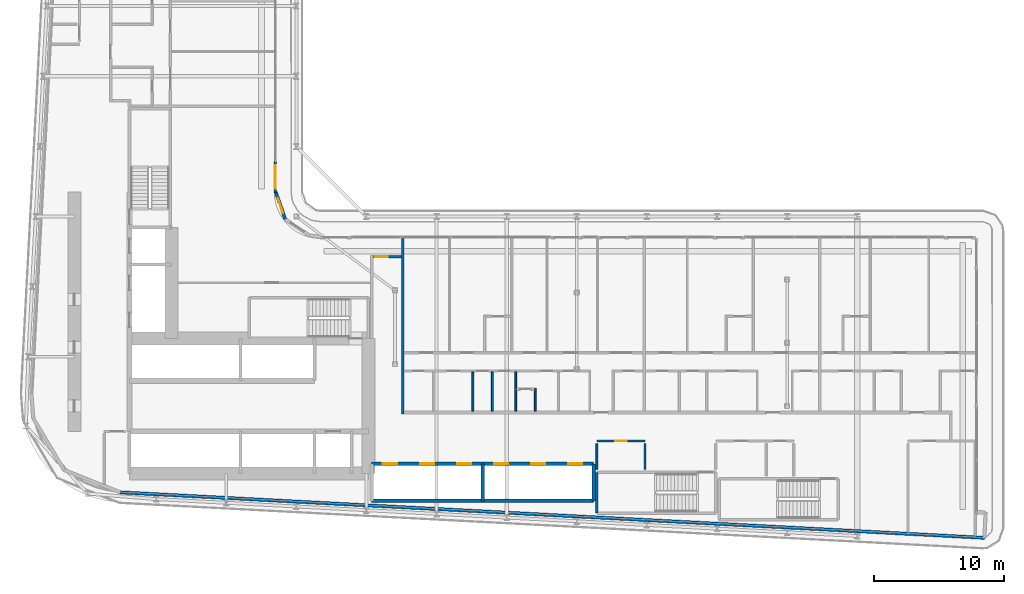
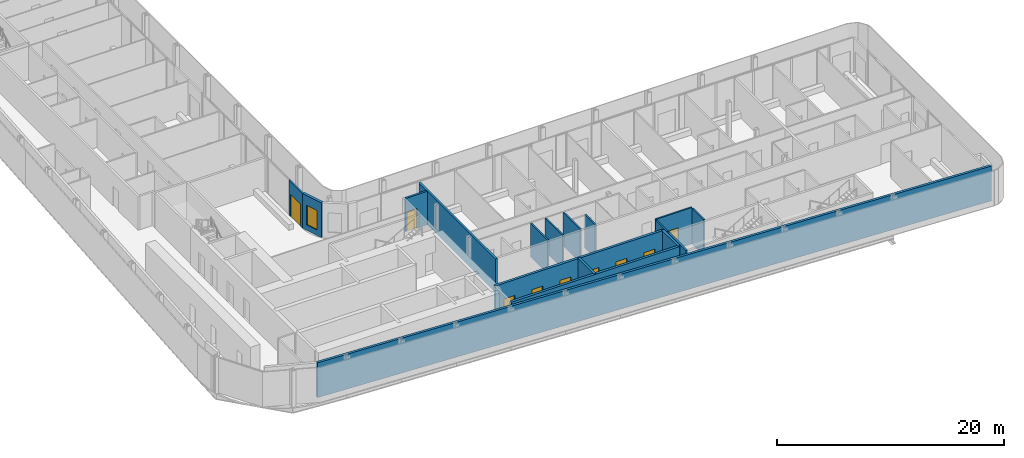
# One storey, part 15 of 29: 17 walls, 9 doors, 1 window, 10 openings.
"""IFC4 building model written with IfcOpenShell, lengths in metres."""

from ifc_helpers import new_model, si_unit, direction, frame, frame_2d, origin, place, context, subcontext, project, spatial, rectangle, extrude, source, transform, mapped, material, layer, layer_set, type_object, element, fill, save


model = new_model("IFC4")

# Units and contexts
model_context = context("Model", 3, precision=1e-05, world=origin(), true_north=direction((0.0, 1.0)))
body_context = subcontext(model_context, "Body", "Model", "MODEL_VIEW")
ifc_project = project(units=[si_unit("LENGTHUNIT", "METRE"), si_unit("AREAUNIT", "SQUARE_METRE"), si_unit("VOLUMEUNIT", "CUBIC_METRE"), si_unit("PLANEANGLEUNIT", "RADIAN"), si_unit("MASSUNIT", "GRAM", prefix="KILO")], contexts=[model_context])

# Site, building, storey
site_placement = place(None, origin())
site = spatial("IfcSite", under=ifc_project, at=site_placement, CompositionType="ELEMENT")
building_placement = place(site_placement, origin())
building = spatial("IfcBuilding", under=site, at=building_placement, Name="Kheshtan School and Residences Tower", CompositionType="ELEMENT")
storey_placement = place(building_placement, frame((0.0, 0.0, 61.699951171875)))
storey = spatial("IfcBuildingStorey", under=building, at=storey_placement, Name="L14", CompositionType="ELEMENT", Elevation=61.699951171875)

# Wall, opening, door
ifc_material_1 = material(Name="Gypsum board on steel studs with fire boards", Category="steel")
ifc_layer_1 = layer(ifc_material_1, 0.199951171875)
ifc_layer_set_1 = layer_set([ifc_layer_1], Name="Corridor wall 200")
wall_type_1 = type_object("IfcWallType", Name="Corridor wall 200", PredefinedType="PARTITIONING", material=ifc_layer_set_1)
wall_1_placement = place(storey_placement, frame((53.5, 42.5, 0.0), z_axis=(0.0, 0.0, 1.0), x_axis=(1.0, 0.0, 0.0)))
wall_1 = element("IfcWall", 1, at=wall_1_placement, inside=storey, type_object=wall_type_1, Name="Partition L14-039", PredefinedType="PARTITIONING", context=body_context, shape_type="SweptSolid", body=[
    extrude(rectangle(XDim=2.199951171875, YDim=0.199951171875, at=frame_2d((1.10009765625, 0.0))), origin(), (0.0, 0.0, 1.0), 3.60009765625),
])
opening_1_placement = place(wall_1_placement, frame((0.14990234375, 0.0, 0.0)))
opening_1 = element("IfcOpeningElement", 2, at=opening_1_placement, cuts=wall_1, Name="Opening D14-058", PredefinedType="OPENING", context=body_context, shape_type="SweptSolid", body=[
    extrude(rectangle(XDim=1.0, YDim=2.10009765625, at=frame_2d((0.5, 1.050048828125))), frame((0.0, 0.10986328125, 0.0), z_axis=(0.0, -1.0, 0.0), x_axis=(1.0, 0.0, 0.0)), (0.0, 0.0, 1.0), 0.219970703125),
])
ifc_material_2 = material(Name="Steel-framed fire-resisting door leaf", Category="steel")
door_type_1 = type_object("IfcDoorType", Name="Fire door FD60 1000 x 2100", OperationType="SINGLE_SWING_LEFT", PredefinedType="DOOR", material=ifc_material_2)
shared_shape_1 = source(origin(), body_context, "Body", "SweptSolid", [
    extrude(rectangle(XDim=1.0, YDim=2.10009765625, at=frame_2d((0.5, 1.050048828125))), frame((0.0, 0.02490234375, 0.0), z_axis=(0.0, -1.0, 0.0), x_axis=(1.0, 0.0, 0.0)), (0.0, 0.0, 1.0), 0.050048828125),
])
door_1_placement = place(opening_1_placement, origin())
door_1 = element("IfcDoor", 3, at=door_1_placement, inside=storey, type_object=door_type_1, Name="Door D14-058", OperationType="SINGLE_SWING_RIGHT", OverallHeight=2.10009765625, OverallWidth=1.0, PredefinedType="DOOR", context=body_context, shape_type="MappedRepresentation", body=[
    mapped(shared_shape_1, transform((0.0, 0.0, 0.0), x_axis=(1.0, 0.0, 0.0), y_axis=(0.0, 1.0, 0.0), z_axis=(0.0, 0.0, 1.0), scale=1.0)),
])
fill(opening_1, door_1)

# Wall, opening, window
ifc_material_3 = material(Name="Concrete C40/50 with ceramic cladding and mineral wool insulation", Category="concrete")
ifc_layer_2 = layer(ifc_material_3, 0.25)
ifc_layer_set_2 = layer_set([ifc_layer_2], Name="External wall 250 ceramic clad")
wall_type_2 = type_object("IfcWallType", Name="External wall 250 ceramic clad", PredefinedType="SOLIDWALL", material=ifc_layer_set_2)
wall_2_placement = place(storey_placement, frame((46.01806640625, 47.470947265625, 0.0), z_axis=(0.0, 0.0, 1.0), x_axis=(0.328791208903, -0.944402637093, 0.0)))
wall_2 = element("IfcWall", 4, at=wall_2_placement, inside=storey, type_object=wall_type_2, Name="External wall L14 9", PredefinedType="SOLIDWALL", context=body_context, shape_type="SweptSolid", body=[
    extrude(rectangle(XDim=2.20458984375, YDim=0.25, at=frame_2d((1.102294921875, 0.0))), origin(), (0.0, 0.0, 1.0), 3.75),
])
opening_2_placement = place(wall_2_placement, frame((0.5029296875, 0.0, 0.60009765625)))
opening_2 = element("IfcOpeningElement", 5, at=opening_2_placement, cuts=wall_2, Name="Opening WN-E", PredefinedType="OPENING", context=body_context, shape_type="SweptSolid", body=[
    extrude(rectangle(XDim=1.199951171875, YDim=2.10009765625, at=frame_2d((0.60009765625, 1.050048828125))), frame((0.0, 0.135009765625, 0.0), z_axis=(0.0, -1.0, 0.0), x_axis=(1.0, 0.0, 0.0)), (0.0, 0.0, 1.0), 0.27001953125),
])
ifc_material_4 = material(Name="Clear low-e glass in thermally broken aluminium frame", Category="aluminium")
window_type = type_object("IfcWindowType", Name="Window WN-E", PartitioningType="SINGLE_PANEL", PredefinedType="WINDOW", material=ifc_material_4)
shared_shape_2 = source(origin(), body_context, "Body", "SweptSolid", [
    extrude(rectangle(XDim=1.199951171875, YDim=2.10009765625, at=frame_2d((0.60009765625, 1.050048828125))), frame((0.0, 0.030029296875, 0.0), z_axis=(0.0, -1.0, 0.0), x_axis=(1.0, 0.0, 0.0)), (0.0, 0.0, 1.0), 0.06005859375),
])
window_placement = place(opening_2_placement, origin())
window = element("IfcWindow", 6, at=window_placement, inside=storey, type_object=window_type, Name="Window L14 9", OverallHeight=2.10009765625, OverallWidth=1.199951171875, PartitioningType="SINGLE_PANEL", PredefinedType="WINDOW", context=body_context, shape_type="MappedRepresentation", body=[
    mapped(shared_shape_2, transform((0.0, 0.0, 0.0), x_axis=(1.0, 0.0, 0.0), y_axis=(0.0, 1.0, 0.0), z_axis=(0.0, 0.0, 1.0), scale=1.0)),
])
fill(opening_2, window)

# Wall
wall_3_placement = place(storey_placement, frame((100.5859375, 20.85009765625, 0.0), z_axis=(0.0, 0.0, 1.0), x_axis=(-0.99861746497, 0.052565755559, 0.0)))
element("IfcWall", 7, at=wall_3_placement, inside=storey, type_object=wall_type_2, Name="External wall L14 16", PredefinedType="SOLIDWALL", context=body_context, shape_type="SweptSolid", body=[
    extrude(rectangle(XDim=66.638916015625, YDim=0.25, at=frame_2d((33.3193359375, 0.0))), origin(), (0.0, 0.0, 1.0), 3.75),
])

# Wall, opening, door
ifc_material_5 = material(Name="Aluminium frame wall with insulated infill", Category="aluminium")
ifc_layer_3 = layer(ifc_material_5, 0.14990234375)
ifc_layer_set_3 = layer_set([ifc_layer_3], Name="Glazing frame wall 150")
wall_type_3 = type_object("IfcWallType", Name="Glazing frame wall 150", PredefinedType="SOLIDWALL", material=ifc_layer_set_3)
wall_4_placement = place(storey_placement, frame((45.97509765625, 49.830078125, 0.0), z_axis=(0.0, 0.0, 1.0), x_axis=(0.0, -1.0, 0.0)))
wall_4 = element("IfcWall", 8, at=wall_4_placement, inside=storey, type_object=wall_type_3, Name="Balcony door wall L14 8.5", PredefinedType="SOLIDWALL", context=body_context, shape_type="SweptSolid", body=[
    extrude(rectangle(XDim=2.400146484375, YDim=0.14990234375, at=frame_2d((1.2001953125, 0.0))), origin(), (0.0, 0.0, 1.0), 3.75),
])
opening_3_placement = place(wall_4_placement, frame((0.300048828125, 0.0, 0.0)))
opening_3 = element("IfcOpeningElement", 9, at=opening_3_placement, cuts=wall_4, Name="Opening BD", PredefinedType="OPENING", context=body_context, shape_type="SweptSolid", body=[
    extrude(rectangle(XDim=1.800048828125, YDim=2.39990234375, at=frame_2d((0.89990234375, 1.199951171875))), frame((0.0, 0.0849609375, 0.0), z_axis=(0.0, -1.0, 0.0), x_axis=(1.0, 0.0, 0.0)), (0.0, 0.0, 1.0), 0.169921875),
])
door_type_2 = type_object("IfcDoorType", Name="Balcony sliding door", OperationType="SLIDING_TO_LEFT", PredefinedType="DOOR", material=ifc_material_4)
shared_shape_3 = source(origin(), body_context, "Body", "SweptSolid", [
    extrude(rectangle(XDim=1.800048828125, YDim=2.39990234375, at=frame_2d((0.89990234375, 1.199951171875))), frame((0.0, 0.02490234375, 0.0), z_axis=(0.0, -1.0, 0.0), x_axis=(1.0, 0.0, 0.0)), (0.0, 0.0, 1.0), 0.050048828125),
])
door_2_placement = place(opening_3_placement, origin())
door_2 = element("IfcDoor", 10, at=door_2_placement, inside=storey, type_object=door_type_2, Name="Balcony door L14 8.5", OperationType="SLIDING_TO_LEFT", OverallHeight=2.39990234375, OverallWidth=1.800048828125, PredefinedType="DOOR", context=body_context, shape_type="MappedRepresentation", body=[
    mapped(shared_shape_3, transform((0.0, 0.0, 0.0), x_axis=(1.0, 0.0, 0.0), y_axis=(0.0, 1.0, 0.0), z_axis=(0.0, 0.0, 1.0), scale=1.0)),
])
fill(opening_3, door_2)

ifc_material_6 = material(Name="Fire-board shaft wall system")
ifc_layer_4 = layer(ifc_material_6, 0.14990234375)
ifc_layer_set_4 = layer_set([ifc_layer_4], Name="Service room wall 150")
wall_type_4 = type_object("IfcWallType", Name="Service room wall 150", PredefinedType="PARTITIONING", material=ifc_layer_set_4)
wall_5_placement = place(storey_placement, frame((70.75, 28.300048828125, 0.0), z_axis=(0.0, 0.0, 1.0), x_axis=(1.0, 0.0, 0.0)))
wall_5 = element("IfcWall", 11, at=wall_5_placement, inside=storey, type_object=wall_type_4, Name="Service room wall", PredefinedType="PARTITIONING", context=body_context, shape_type="SweptSolid", body=[
    extrude(rectangle(XDim=3.7041015625, YDim=0.14990234375, at=frame_2d((1.85205078125, 0.0))), origin(), (0.0, 0.0, 1.0), 3.900146484375),
])
opening_4_placement = place(wall_5_placement, frame((1.402099609375, 0.0, 0.0)))
opening_4 = element("IfcOpeningElement", 12, at=opening_4_placement, cuts=wall_5, Name="Opening SR90", PredefinedType="OPENING", context=body_context, shape_type="SweptSolid", body=[
    extrude(rectangle(XDim=0.89990234375, YDim=2.199951171875, at=frame_2d((0.449951171875, 1.10009765625))), frame((0.0, 0.0849609375, 0.0), z_axis=(0.0, -1.0, 0.0), x_axis=(1.0, 0.0, 0.0)), (0.0, 0.0, 1.0), 0.169921875),
])
ifc_material_7 = material(Name="Steel door leaf, galvanised", Category="steel")
door_type_3 = type_object("IfcDoorType", Name="Service room door 900 steel 90 min", OperationType="SINGLE_SWING_LEFT", PredefinedType="DOOR", material=ifc_material_7)
shared_shape_4 = source(origin(), body_context, "Body", "SweptSolid", [
    extrude(rectangle(XDim=0.89990234375, YDim=2.199951171875, at=frame_2d((0.449951171875, 1.10009765625))), frame((0.0, 0.02490234375, 0.0), z_axis=(0.0, -1.0, 0.0), x_axis=(1.0, 0.0, 0.0)), (0.0, 0.0, 1.0), 0.050048828125),
])
door_3_placement = place(opening_4_placement, origin())
door_3 = element("IfcDoor", 13, at=door_3_placement, inside=storey, type_object=door_type_3, Name="Service room door", OperationType="SINGLE_SWING_LEFT", OverallHeight=2.199951171875, OverallWidth=0.89990234375, PredefinedType="DOOR", context=body_context, shape_type="MappedRepresentation", body=[
    mapped(shared_shape_4, transform((0.0, 0.0, 0.0), x_axis=(1.0, 0.0, 0.0), y_axis=(0.0, 1.0, 0.0), z_axis=(0.0, 0.0, 1.0), scale=1.0)),
])
fill(opening_4, door_3)

# Walls
for number, where, z_axis, x_axis, name in (
    (14, (70.75, 26.1201171875, 0.0), (0.0, 0.0, 1.0), (0.0, 1.0, 0.0), "Service room wall"),
    (15, (74.4541015625, 26.1201171875, 0.0), (0.0, 0.0, 1.0), (0.0, 1.0, 0.0), "Service room wall"),
):
    element("IfcWall", number, at=place(storey_placement, frame(where, z_axis=z_axis, x_axis=x_axis)), inside=storey, type_object=wall_type_4, Name=name, PredefinedType="PARTITIONING", context=body_context, shape_type="SweptSolid", body=[
        extrude(rectangle(XDim=1.98486328125, YDim=0.14990234375, at=frame_2d((0.992431640625, 0.0))), origin(), (0.0, 0.0, 1.0), 3.900146484375),
    ])
ifc_layer_5 = layer(ifc_material_6, 0.25)
ifc_layer_set_5 = layer_set([ifc_layer_5], Name="Shaft lining wall 250")
wall_type_5 = type_object("IfcWallType", Name="Shaft lining wall 250", PredefinedType="PARTITIONING", material=ifc_layer_set_5)
for number, where, z_axis, x_axis, name in (
    (16, (61.949951171875, 23.699951171875, 0.0), (0.0, 0.0, 1.0), (0.0, 1.0, 0.0), "Shaft lining wall"),
    (17, (70.5, 23.699951171875, 0.0), (0.0, 0.0, 1.0), (0.0, 1.0, 0.0), "Shaft lining wall"),
):
    element("IfcWall", number, at=place(storey_placement, frame(where, z_axis=z_axis, x_axis=x_axis)), inside=storey, type_object=wall_type_5, Name=name, PredefinedType="PARTITIONING", context=body_context, shape_type="SweptSolid", body=[
        extrude(rectangle(XDim=2.85009765625, YDim=0.25, at=frame_2d((1.425048828125, 0.0))), origin(), (0.0, 0.0, 1.0), 3.900146484375),
    ])
wall_6_placement = place(storey_placement, frame((53.39990234375, 23.699951171875, 0.0), z_axis=(0.0, 0.0, 1.0), x_axis=(1.0, 0.0, 0.0)))
element("IfcWall", 18, at=wall_6_placement, inside=storey, type_object=wall_type_5, Name="Shaft lining wall", PredefinedType="PARTITIONING", context=body_context, shape_type="SweptSolid", body=[
    extrude(rectangle(XDim=17.10009765625, YDim=0.25, at=frame_2d((8.550048828125, 0.0))), origin(), (0.0, 0.0, 1.0), 3.900146484375),
])

# Wall, openings, doors
wall_7_placement = place(storey_placement, frame((53.39990234375, 26.550048828125, 0.0), z_axis=(0.0, 0.0, 1.0), x_axis=(1.0, 0.0, 0.0)))
wall_7 = element("IfcWall", 19, at=wall_7_placement, inside=storey, type_object=wall_type_5, Name="Shaft lining wall", PredefinedType="PARTITIONING", context=body_context, shape_type="SweptSolid", body=[
    extrude(rectangle(XDim=17.10009765625, YDim=0.25, at=frame_2d((8.550048828125, 0.0))), origin(), (0.0, 0.0, 1.0), 3.900146484375),
])
opening_5_placement = place(wall_7_placement, frame((0.875, 0.0, 0.0)))
opening_5 = element("IfcOpeningElement", 20, at=opening_5_placement, cuts=wall_7, Name="Opening LD", PredefinedType="OPENING", context=body_context, shape_type="SweptSolid", body=[
    extrude(rectangle(XDim=1.10009765625, YDim=2.199951171875, at=frame_2d((0.550048828125, 1.10009765625))), frame((0.0, 0.135009765625, 0.0), z_axis=(0.0, -1.0, 0.0), x_axis=(1.0, 0.0, 0.0)), (0.0, 0.0, 1.0), 0.27001953125),
])
opening_6_placement = place(wall_7_placement, frame((3.72509765625, 0.0, 0.0)))
opening_6 = element("IfcOpeningElement", 21, at=opening_6_placement, cuts=wall_7, Name="Opening LD", PredefinedType="OPENING", context=body_context, shape_type="SweptSolid", body=[
    extrude(rectangle(XDim=1.10009765625, YDim=2.199951171875, at=frame_2d((0.550048828125, 1.10009765625))), frame((0.0, 0.135009765625, 0.0), z_axis=(0.0, -1.0, 0.0), x_axis=(1.0, 0.0, 0.0)), (0.0, 0.0, 1.0), 0.27001953125),
])
opening_7_placement = place(wall_7_placement, frame((6.574951171875, 0.0, 0.0)))
opening_7 = element("IfcOpeningElement", 22, at=opening_7_placement, cuts=wall_7, Name="Opening LD", PredefinedType="OPENING", context=body_context, shape_type="SweptSolid", body=[
    extrude(rectangle(XDim=1.10009765625, YDim=2.199951171875, at=frame_2d((0.550048828125, 1.10009765625))), frame((0.0, 0.135009765625, 0.0), z_axis=(0.0, -1.0, 0.0), x_axis=(1.0, 0.0, 0.0)), (0.0, 0.0, 1.0), 0.27001953125),
])
opening_8_placement = place(wall_7_placement, frame((9.425048828125, 0.0, 0.0)))
opening_8 = element("IfcOpeningElement", 23, at=opening_8_placement, cuts=wall_7, Name="Opening LD", PredefinedType="OPENING", context=body_context, shape_type="SweptSolid", body=[
    extrude(rectangle(XDim=1.10009765625, YDim=2.199951171875, at=frame_2d((0.550048828125, 1.10009765625))), frame((0.0, 0.135009765625, 0.0), z_axis=(0.0, -1.0, 0.0), x_axis=(1.0, 0.0, 0.0)), (0.0, 0.0, 1.0), 0.27001953125),
])
opening_9_placement = place(wall_7_placement, frame((12.27490234375, 0.0, 0.0)))
opening_9 = element("IfcOpeningElement", 24, at=opening_9_placement, cuts=wall_7, Name="Opening LD", PredefinedType="OPENING", context=body_context, shape_type="SweptSolid", body=[
    extrude(rectangle(XDim=1.10009765625, YDim=2.199951171875, at=frame_2d((0.550048828125, 1.10009765625))), frame((0.0, 0.135009765625, 0.0), z_axis=(0.0, -1.0, 0.0), x_axis=(1.0, 0.0, 0.0)), (0.0, 0.0, 1.0), 0.27001953125),
])
opening_10_placement = place(wall_7_placement, frame((15.125, 0.0, 0.0)))
opening_10 = element("IfcOpeningElement", 25, at=opening_10_placement, cuts=wall_7, Name="Opening LD", PredefinedType="OPENING", context=body_context, shape_type="SweptSolid", body=[
    extrude(rectangle(XDim=1.10009765625, YDim=2.199951171875, at=frame_2d((0.550048828125, 1.10009765625))), frame((0.0, 0.135009765625, 0.0), z_axis=(0.0, -1.0, 0.0), x_axis=(1.0, 0.0, 0.0)), (0.0, 0.0, 1.0), 0.27001953125),
])
ifc_material_8 = material(Name="Stainless steel door leaves", Category="steel")
door_type_4 = type_object("IfcDoorType", Name="Lift landing door 1100", OperationType="SLIDING_TO_LEFT", PredefinedType="DOOR", material=ifc_material_8)
shared_shape_5 = source(origin(), body_context, "Body", "SweptSolid", [
    extrude(rectangle(XDim=1.10009765625, YDim=2.199951171875, at=frame_2d((0.550048828125, 1.10009765625))), frame((0.0, 0.02490234375, 0.0), z_axis=(0.0, -1.0, 0.0), x_axis=(1.0, 0.0, 0.0)), (0.0, 0.0, 1.0), 0.050048828125),
])
door_4_placement = place(opening_5_placement, origin())
door_4 = element("IfcDoor", 26, at=door_4_placement, inside=storey, type_object=door_type_4, Name="Lift P1 landing door", OperationType="SLIDING_TO_LEFT", OverallHeight=2.199951171875, OverallWidth=1.10009765625, PredefinedType="DOOR", context=body_context, shape_type="MappedRepresentation", body=[
    mapped(shared_shape_5, transform((0.0, 0.0, 0.0), x_axis=(1.0, 0.0, 0.0), y_axis=(0.0, 1.0, 0.0), z_axis=(0.0, 0.0, 1.0), scale=1.0)),
])
fill(opening_5, door_4)
door_5_placement = place(opening_6_placement, origin())
door_5 = element("IfcDoor", 27, at=door_5_placement, inside=storey, type_object=door_type_4, Name="Lift P2 landing door", OperationType="SLIDING_TO_LEFT", OverallHeight=2.199951171875, OverallWidth=1.10009765625, PredefinedType="DOOR", context=body_context, shape_type="MappedRepresentation", body=[
    mapped(shared_shape_5, transform((0.0, 0.0, 0.0), x_axis=(1.0, 0.0, 0.0), y_axis=(0.0, 1.0, 0.0), z_axis=(0.0, 0.0, 1.0), scale=1.0)),
])
fill(opening_6, door_5)
door_6_placement = place(opening_7_placement, origin())
door_6 = element("IfcDoor", 28, at=door_6_placement, inside=storey, type_object=door_type_4, Name="Lift P3 landing door", OperationType="SLIDING_TO_LEFT", OverallHeight=2.199951171875, OverallWidth=1.10009765625, PredefinedType="DOOR", context=body_context, shape_type="MappedRepresentation", body=[
    mapped(shared_shape_5, transform((0.0, 0.0, 0.0), x_axis=(1.0, 0.0, 0.0), y_axis=(0.0, 1.0, 0.0), z_axis=(0.0, 0.0, 1.0), scale=1.0)),
])
fill(opening_7, door_6)
door_7_placement = place(opening_8_placement, origin())
door_7 = element("IfcDoor", 29, at=door_7_placement, inside=storey, type_object=door_type_4, Name="Lift P4 landing door", OperationType="SLIDING_TO_LEFT", OverallHeight=2.199951171875, OverallWidth=1.10009765625, PredefinedType="DOOR", context=body_context, shape_type="MappedRepresentation", body=[
    mapped(shared_shape_5, transform((0.0, 0.0, 0.0), x_axis=(1.0, 0.0, 0.0), y_axis=(0.0, 1.0, 0.0), z_axis=(0.0, 0.0, 1.0), scale=1.0)),
])
fill(opening_8, door_7)
door_8_placement = place(opening_9_placement, origin())
door_8 = element("IfcDoor", 30, at=door_8_placement, inside=storey, type_object=door_type_4, Name="Lift P5 landing door", OperationType="SLIDING_TO_LEFT", OverallHeight=2.199951171875, OverallWidth=1.10009765625, PredefinedType="DOOR", context=body_context, shape_type="MappedRepresentation", body=[
    mapped(shared_shape_5, transform((0.0, 0.0, 0.0), x_axis=(1.0, 0.0, 0.0), y_axis=(0.0, 1.0, 0.0), z_axis=(0.0, 0.0, 1.0), scale=1.0)),
])
fill(opening_9, door_8)
door_9_placement = place(opening_10_placement, origin())
door_9 = element("IfcDoor", 31, at=door_9_placement, inside=storey, type_object=door_type_4, Name="Lift P6 landing door", OperationType="SLIDING_TO_LEFT", OverallHeight=2.199951171875, OverallWidth=1.10009765625, PredefinedType="DOOR", context=body_context, shape_type="MappedRepresentation", body=[
    mapped(shared_shape_5, transform((0.0, 0.0, 0.0), x_axis=(1.0, 0.0, 0.0), y_axis=(0.0, 1.0, 0.0), z_axis=(0.0, 0.0, 1.0), scale=1.0)),
])
fill(opening_10, door_9)

# Walls
ifc_material_9 = material(Name="Concrete C40/50", Category="concrete")
ifc_layer_6 = layer(ifc_material_9, 0.199951171875)
ifc_layer_set_6 = layer_set([ifc_layer_6], Name="Stair enclosure wall 200 Concrete C40/50")
wall_type_6 = type_object("IfcWallType", Name="Stair enclosure wall 200 Concrete C40/50", PredefinedType="SHEAR", material=ifc_layer_set_6)
wall_8_placement = place(storey_placement, frame((70.75, 22.75, 0.0), z_axis=(0.0, 0.0, 1.0), x_axis=(0.0, 1.0, 0.0)))
element("IfcWall", 32, at=wall_8_placement, inside=storey, type_object=wall_type_6, Name="Stair enclosure wall ST5", PredefinedType="SHEAR", context=body_context, shape_type="SweptSolid", body=[
    extrude(rectangle(XDim=3.14990234375, YDim=0.199951171875, at=frame_2d((1.574951171875, 0.0))), origin(), (0.0, 0.0, 1.0), 3.900146484375),
])
ifc_material_10 = material(Name="Twin gypsum board on steel studs with mineral wool", Category="steel")
ifc_layer_7 = layer(ifc_material_10, 0.199951171875)
ifc_layer_set_7 = layer_set([ifc_layer_7], Name="Unit demising wall 200")
wall_type_7 = type_object("IfcWallType", Name="Unit demising wall 200", PredefinedType="PARTITIONING", material=ifc_layer_set_7)
wall_9_placement = place(storey_placement, frame((55.800048828125, 30.39990234375, 0.0), z_axis=(0.0, 0.0, 1.0), x_axis=(0.0, 1.0, 0.0)))
element("IfcWall", 33, at=wall_9_placement, inside=storey, type_object=wall_type_7, Name="Partition L14-040", PredefinedType="PARTITIONING", context=body_context, shape_type="SweptSolid", body=[
    extrude(rectangle(XDim=13.5, YDim=0.199951171875, at=frame_2d((6.75, 0.0))), origin(), (0.0, 0.0, 1.0), 3.60009765625),
])
ifc_material_11 = material(Name="Moisture-resistant gypsum board on steel studs", Category="steel")
ifc_layer_8 = layer(ifc_material_11, 0.14990234375)
ifc_layer_set_8 = layer_set([ifc_layer_8], Name="Wet-room partition 150")
wall_type_8 = type_object("IfcWallType", Name="Wet-room partition 150", PredefinedType="PARTITIONING", material=ifc_layer_set_8)
for number, where, z_axis, x_axis, name in (
    (34, (61.199951171875, 30.60009765625, 0.0), (0.0, 0.0, 1.0), (0.0, 1.0, 0.0), "Partition L14-046"),
    (35, (62.699951171875, 30.60009765625, 0.0), (0.0, 0.0, 1.0), (0.0, 1.0, 0.0), "Partition L14-049"),
    (36, (64.5, 30.60009765625, 0.0), (0.0, 0.0, 1.0), (0.0, 1.0, 0.0), "Partition L14-051"),
):
    element("IfcWall", number, at=place(storey_placement, frame(where, z_axis=z_axis, x_axis=x_axis)), inside=storey, type_object=wall_type_8, Name=name, PredefinedType="PARTITIONING", context=body_context, shape_type="SweptSolid", body=[
        extrude(rectangle(XDim=3.02490234375, YDim=0.14990234375, at=frame_2d((1.512451171875, 0.0))), origin(), (0.0, 0.0, 1.0), 3.60009765625),
    ])
wall_10_placement = place(storey_placement, frame((66.0, 30.60009765625, 0.0), z_axis=(0.0, 0.0, 1.0), x_axis=(0.0, 1.0, 0.0)))
element("IfcWall", 37, at=wall_10_placement, inside=storey, type_object=wall_type_8, Name="Partition L14-053", PredefinedType="PARTITIONING", context=body_context, shape_type="SweptSolid", body=[
    extrude(rectangle(XDim=1.77490234375, YDim=0.14990234375, at=frame_2d((0.887451171875, 0.0))), origin(), (0.0, 0.0, 1.0), 3.60009765625),
])

save(model, "model.ifc")
